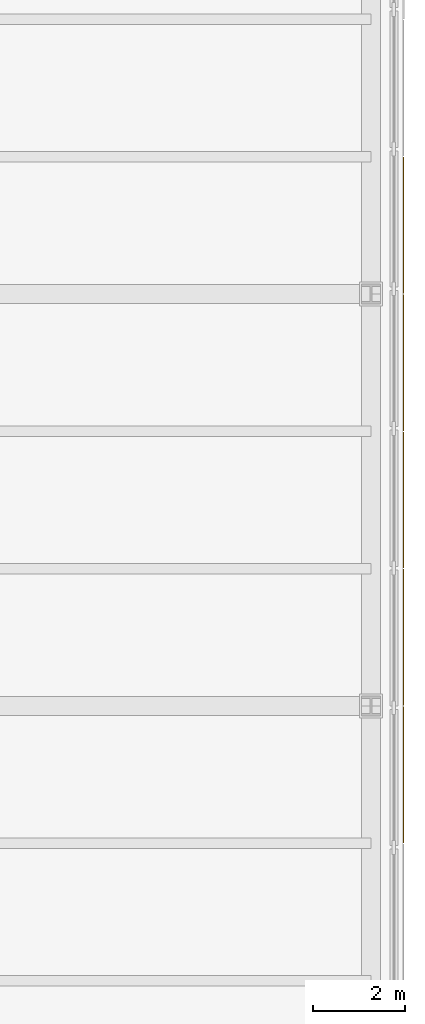
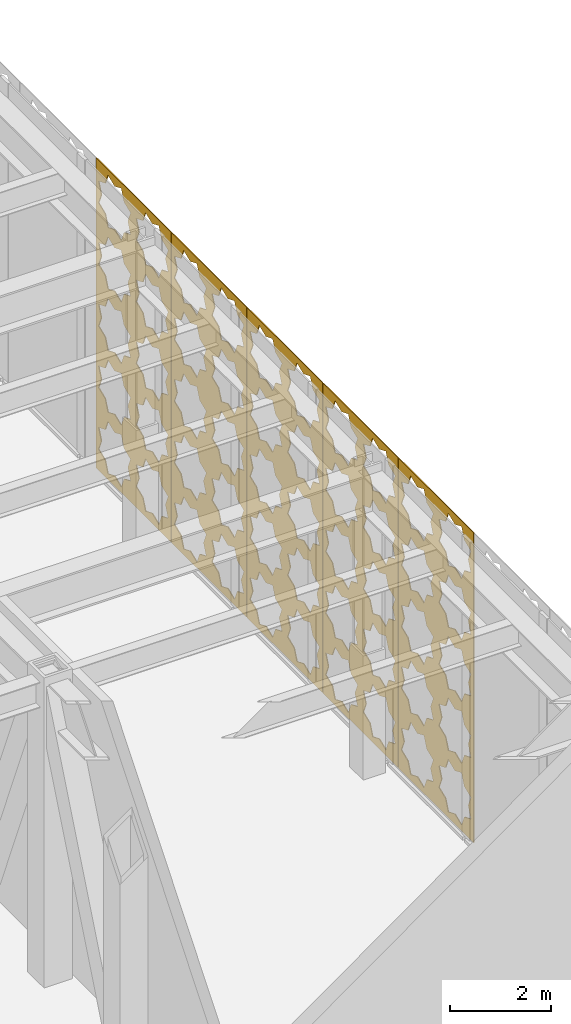
# One storey, part 32 of 34: 5 shading devices.
"""IFC4 building model written with IfcOpenShell, lengths in metres."""

from ifc_helpers import new_model, si_unit, direction, frame, origin, place, context, subcontext, project, spatial, polyline, outline, extrude, material, layer, layer_set, type_object, element, save


model = new_model("IFC4")

# Units and contexts
model_context = context("Model", 3, precision=1e-05, world=origin(), true_north=direction((0.0, 1.0)))
body_context = subcontext(model_context, "Body", "Model", "MODEL_VIEW")
ifc_project = project(units=[si_unit("LENGTHUNIT", "METRE"), si_unit("AREAUNIT", "SQUARE_METRE"), si_unit("VOLUMEUNIT", "CUBIC_METRE"), si_unit("PLANEANGLEUNIT", "RADIAN"), si_unit("MASSUNIT", "GRAM", prefix="KILO")], contexts=[model_context])

# Site, building, storey
site_placement = place(None, origin())
site = spatial("IfcSite", under=ifc_project, at=site_placement, CompositionType="ELEMENT")
building_placement = place(site_placement, origin())
building = spatial("IfcBuilding", under=site, at=building_placement, Name="Chuquiago Exchange Tower", CompositionType="ELEMENT")
storey_placement = place(building_placement, frame((0.0, 0.0, 6.0)))
storey = spatial("IfcBuildingStorey", under=building, at=storey_placement, Name="L01", CompositionType="ELEMENT", Elevation=6.0)

# Shading devices
ifc_material = material(Name="Pale metal, perforated in an eight-point star pattern", Category="aluminium")
ifc_layer = layer(ifc_material, 0.02001953125)
ifc_layer_set = layer_set([ifc_layer], Name="SC1 mashrabiya screen 20")
shading_device_type = type_object("IfcShadingDeviceType", Name="SC1 mashrabiya screen 20", PredefinedType="SHUTTER", material=ifc_layer_set)
shading_device_1_placement = place(storey_placement, frame((54.699951171875, 6.010009765625, -0.199951171875), z_axis=(0.0, 0.0, 1.0), x_axis=(0.0, 1.0, 0.0)))
element("IfcShadingDevice", 1, at=shading_device_1_placement, inside=storey, type_object=shading_device_type, Name="Mashrabiya screen L01 E 9", PredefinedType="SHUTTER", context=body_context, shape_type="SweptSolid", body=[
    extrude(outline(polyline([(0.0, 0.0), (2.97998046875, 0.0), (2.97998046875, 7.5), (0.0, 7.5), (0.0, 0.0)]), holes=[polyline([(1.26953125, 0.77001953125), (1.378173828125, 1.0322265625), (1.115966796875, 1.140869140625), (1.00732421875, 1.403076171875), (0.7451171875, 1.29443359375), (0.482666015625, 1.403076171875), (0.3740234375, 1.140869140625), (0.11181640625, 1.0322265625), (0.220458984375, 0.77001953125), (0.11181640625, 0.507568359375), (0.3740234375, 0.39892578125), (0.482666015625, 0.13671875), (0.7451171875, 0.245361328125), (1.00732421875, 0.13671875), (1.115966796875, 0.39892578125), (1.378173828125, 0.507568359375), (1.26953125, 0.77001953125)]), polyline([(2.759521484375, 0.77001953125), (2.8681640625, 1.0322265625), (2.60595703125, 1.140869140625), (2.497314453125, 1.403076171875), (2.235107421875, 1.29443359375), (1.97265625, 1.403076171875), (1.864013671875, 1.140869140625), (1.601806640625, 1.0322265625), (1.71044921875, 0.77001953125), (1.601806640625, 0.507568359375), (1.864013671875, 0.39892578125), (1.97265625, 0.13671875), (2.235107421875, 0.245361328125), (2.497314453125, 0.13671875), (2.60595703125, 0.39892578125), (2.8681640625, 0.507568359375), (2.759521484375, 0.77001953125)]), polyline([(1.26953125, 2.260009765625), (1.378173828125, 2.522216796875), (1.115966796875, 2.630859375), (1.00732421875, 2.89306640625), (0.7451171875, 2.78466796875), (0.482666015625, 2.89306640625), (0.3740234375, 2.630859375), (0.11181640625, 2.522216796875), (0.220458984375, 2.260009765625), (0.11181640625, 1.99755859375), (0.3740234375, 1.888916015625), (0.482666015625, 1.626708984375), (0.7451171875, 1.7353515625), (1.00732421875, 1.626708984375), (1.115966796875, 1.888916015625), (1.378173828125, 1.99755859375), (1.26953125, 2.260009765625)]), polyline([(2.759521484375, 2.260009765625), (2.8681640625, 2.522216796875), (2.60595703125, 2.630859375), (2.497314453125, 2.89306640625), (2.235107421875, 2.78466796875), (1.97265625, 2.89306640625), (1.864013671875, 2.630859375), (1.601806640625, 2.522216796875), (1.71044921875, 2.260009765625), (1.601806640625, 1.99755859375), (1.864013671875, 1.888916015625), (1.97265625, 1.626708984375), (2.235107421875, 1.7353515625), (2.497314453125, 1.626708984375), (2.60595703125, 1.888916015625), (2.8681640625, 1.99755859375), (2.759521484375, 2.260009765625)]), polyline([(1.26953125, 3.75), (1.378173828125, 4.01220703125), (1.115966796875, 4.120849609375), (1.00732421875, 4.383056640625), (0.7451171875, 4.274658203125), (0.482666015625, 4.383056640625), (0.3740234375, 4.120849609375), (0.11181640625, 4.01220703125), (0.220458984375, 3.75), (0.11181640625, 3.487548828125), (0.3740234375, 3.37890625), (0.482666015625, 3.11669921875), (0.7451171875, 3.225341796875), (1.00732421875, 3.11669921875), (1.115966796875, 3.37890625), (1.378173828125, 3.487548828125), (1.26953125, 3.75)]), polyline([(2.759521484375, 3.75), (2.8681640625, 4.01220703125), (2.60595703125, 4.120849609375), (2.497314453125, 4.383056640625), (2.235107421875, 4.274658203125), (1.97265625, 4.383056640625), (1.864013671875, 4.120849609375), (1.601806640625, 4.01220703125), (1.71044921875, 3.75), (1.601806640625, 3.487548828125), (1.864013671875, 3.37890625), (1.97265625, 3.11669921875), (2.235107421875, 3.225341796875), (2.497314453125, 3.11669921875), (2.60595703125, 3.37890625), (2.8681640625, 3.487548828125), (2.759521484375, 3.75)]), polyline([(1.26953125, 5.239990234375), (1.378173828125, 5.502197265625), (1.115966796875, 5.61083984375), (1.00732421875, 5.873046875), (0.7451171875, 5.7646484375), (0.482666015625, 5.873046875), (0.3740234375, 5.61083984375), (0.11181640625, 5.502197265625), (0.220458984375, 5.239990234375), (0.11181640625, 4.9775390625), (0.3740234375, 4.868896484375), (0.482666015625, 4.606689453125), (0.7451171875, 4.71533203125), (1.00732421875, 4.606689453125), (1.115966796875, 4.868896484375), (1.378173828125, 4.9775390625), (1.26953125, 5.239990234375)]), polyline([(2.759521484375, 5.239990234375), (2.8681640625, 5.502197265625), (2.60595703125, 5.61083984375), (2.497314453125, 5.873046875), (2.235107421875, 5.7646484375), (1.97265625, 5.873046875), (1.864013671875, 5.61083984375), (1.601806640625, 5.502197265625), (1.71044921875, 5.239990234375), (1.601806640625, 4.9775390625), (1.864013671875, 4.868896484375), (1.97265625, 4.606689453125), (2.235107421875, 4.71533203125), (2.497314453125, 4.606689453125), (2.60595703125, 4.868896484375), (2.8681640625, 4.9775390625), (2.759521484375, 5.239990234375)]), polyline([(1.26953125, 6.72998046875), (1.378173828125, 6.9921875), (1.115966796875, 7.100830078125), (1.00732421875, 7.363037109375), (0.7451171875, 7.254638671875), (0.482666015625, 7.363037109375), (0.3740234375, 7.100830078125), (0.11181640625, 6.9921875), (0.220458984375, 6.72998046875), (0.11181640625, 6.467529296875), (0.3740234375, 6.35888671875), (0.482666015625, 6.0966796875), (0.7451171875, 6.205322265625), (1.00732421875, 6.0966796875), (1.115966796875, 6.35888671875), (1.378173828125, 6.467529296875), (1.26953125, 6.72998046875)]), polyline([(2.759521484375, 6.72998046875), (2.8681640625, 6.9921875), (2.60595703125, 7.100830078125), (2.497314453125, 7.363037109375), (2.235107421875, 7.254638671875), (1.97265625, 7.363037109375), (1.864013671875, 7.100830078125), (1.601806640625, 6.9921875), (1.71044921875, 6.72998046875), (1.601806640625, 6.467529296875), (1.864013671875, 6.35888671875), (1.97265625, 6.0966796875), (2.235107421875, 6.205322265625), (2.497314453125, 6.0966796875), (2.60595703125, 6.35888671875), (2.8681640625, 6.467529296875), (2.759521484375, 6.72998046875)])]), frame((0.0, 0.0, 0.0), z_axis=(0.0, -1.0, 0.0), x_axis=(1.0, 0.0, 0.0)), (0.0, 0.0, 1.0), 0.02001953125),
])
shading_device_2_placement = place(storey_placement, frame((54.699951171875, 9.010009765625, -0.199951171875), z_axis=(0.0, 0.0, 1.0), x_axis=(0.0, 1.0, 0.0)))
element("IfcShadingDevice", 2, at=shading_device_2_placement, inside=storey, type_object=shading_device_type, Name="Mashrabiya screen L01 E 10", PredefinedType="SHUTTER", context=body_context, shape_type="SweptSolid", body=[
    extrude(outline(polyline([(0.0, 0.0), (2.97998046875, 0.0), (2.97998046875, 7.5), (0.0, 7.5), (0.0, 0.0)]), holes=[polyline([(1.26953125, 0.77001953125), (1.378173828125, 1.0322265625), (1.115966796875, 1.140869140625), (1.00732421875, 1.403076171875), (0.7451171875, 1.29443359375), (0.482666015625, 1.403076171875), (0.3740234375, 1.140869140625), (0.11181640625, 1.0322265625), (0.220458984375, 0.77001953125), (0.11181640625, 0.507568359375), (0.3740234375, 0.39892578125), (0.482666015625, 0.13671875), (0.7451171875, 0.245361328125), (1.00732421875, 0.13671875), (1.115966796875, 0.39892578125), (1.378173828125, 0.507568359375), (1.26953125, 0.77001953125)]), polyline([(2.759521484375, 0.77001953125), (2.8681640625, 1.0322265625), (2.60595703125, 1.140869140625), (2.497314453125, 1.403076171875), (2.235107421875, 1.29443359375), (1.97265625, 1.403076171875), (1.864013671875, 1.140869140625), (1.601806640625, 1.0322265625), (1.71044921875, 0.77001953125), (1.601806640625, 0.507568359375), (1.864013671875, 0.39892578125), (1.97265625, 0.13671875), (2.235107421875, 0.245361328125), (2.497314453125, 0.13671875), (2.60595703125, 0.39892578125), (2.8681640625, 0.507568359375), (2.759521484375, 0.77001953125)]), polyline([(1.26953125, 2.260009765625), (1.378173828125, 2.522216796875), (1.115966796875, 2.630859375), (1.00732421875, 2.89306640625), (0.7451171875, 2.78466796875), (0.482666015625, 2.89306640625), (0.3740234375, 2.630859375), (0.11181640625, 2.522216796875), (0.220458984375, 2.260009765625), (0.11181640625, 1.99755859375), (0.3740234375, 1.888916015625), (0.482666015625, 1.626708984375), (0.7451171875, 1.7353515625), (1.00732421875, 1.626708984375), (1.115966796875, 1.888916015625), (1.378173828125, 1.99755859375), (1.26953125, 2.260009765625)]), polyline([(2.759521484375, 2.260009765625), (2.8681640625, 2.522216796875), (2.60595703125, 2.630859375), (2.497314453125, 2.89306640625), (2.235107421875, 2.78466796875), (1.97265625, 2.89306640625), (1.864013671875, 2.630859375), (1.601806640625, 2.522216796875), (1.71044921875, 2.260009765625), (1.601806640625, 1.99755859375), (1.864013671875, 1.888916015625), (1.97265625, 1.626708984375), (2.235107421875, 1.7353515625), (2.497314453125, 1.626708984375), (2.60595703125, 1.888916015625), (2.8681640625, 1.99755859375), (2.759521484375, 2.260009765625)]), polyline([(1.26953125, 3.75), (1.378173828125, 4.01220703125), (1.115966796875, 4.120849609375), (1.00732421875, 4.383056640625), (0.7451171875, 4.274658203125), (0.482666015625, 4.383056640625), (0.3740234375, 4.120849609375), (0.11181640625, 4.01220703125), (0.220458984375, 3.75), (0.11181640625, 3.487548828125), (0.3740234375, 3.37890625), (0.482666015625, 3.11669921875), (0.7451171875, 3.225341796875), (1.00732421875, 3.11669921875), (1.115966796875, 3.37890625), (1.378173828125, 3.487548828125), (1.26953125, 3.75)]), polyline([(2.759521484375, 3.75), (2.8681640625, 4.01220703125), (2.60595703125, 4.120849609375), (2.497314453125, 4.383056640625), (2.235107421875, 4.274658203125), (1.97265625, 4.383056640625), (1.864013671875, 4.120849609375), (1.601806640625, 4.01220703125), (1.71044921875, 3.75), (1.601806640625, 3.487548828125), (1.864013671875, 3.37890625), (1.97265625, 3.11669921875), (2.235107421875, 3.225341796875), (2.497314453125, 3.11669921875), (2.60595703125, 3.37890625), (2.8681640625, 3.487548828125), (2.759521484375, 3.75)]), polyline([(1.26953125, 5.239990234375), (1.378173828125, 5.502197265625), (1.115966796875, 5.61083984375), (1.00732421875, 5.873046875), (0.7451171875, 5.7646484375), (0.482666015625, 5.873046875), (0.3740234375, 5.61083984375), (0.11181640625, 5.502197265625), (0.220458984375, 5.239990234375), (0.11181640625, 4.9775390625), (0.3740234375, 4.868896484375), (0.482666015625, 4.606689453125), (0.7451171875, 4.71533203125), (1.00732421875, 4.606689453125), (1.115966796875, 4.868896484375), (1.378173828125, 4.9775390625), (1.26953125, 5.239990234375)]), polyline([(2.759521484375, 5.239990234375), (2.8681640625, 5.502197265625), (2.60595703125, 5.61083984375), (2.497314453125, 5.873046875), (2.235107421875, 5.7646484375), (1.97265625, 5.873046875), (1.864013671875, 5.61083984375), (1.601806640625, 5.502197265625), (1.71044921875, 5.239990234375), (1.601806640625, 4.9775390625), (1.864013671875, 4.868896484375), (1.97265625, 4.606689453125), (2.235107421875, 4.71533203125), (2.497314453125, 4.606689453125), (2.60595703125, 4.868896484375), (2.8681640625, 4.9775390625), (2.759521484375, 5.239990234375)]), polyline([(1.26953125, 6.72998046875), (1.378173828125, 6.9921875), (1.115966796875, 7.100830078125), (1.00732421875, 7.363037109375), (0.7451171875, 7.254638671875), (0.482666015625, 7.363037109375), (0.3740234375, 7.100830078125), (0.11181640625, 6.9921875), (0.220458984375, 6.72998046875), (0.11181640625, 6.467529296875), (0.3740234375, 6.35888671875), (0.482666015625, 6.0966796875), (0.7451171875, 6.205322265625), (1.00732421875, 6.0966796875), (1.115966796875, 6.35888671875), (1.378173828125, 6.467529296875), (1.26953125, 6.72998046875)]), polyline([(2.759521484375, 6.72998046875), (2.8681640625, 6.9921875), (2.60595703125, 7.100830078125), (2.497314453125, 7.363037109375), (2.235107421875, 7.254638671875), (1.97265625, 7.363037109375), (1.864013671875, 7.100830078125), (1.601806640625, 6.9921875), (1.71044921875, 6.72998046875), (1.601806640625, 6.467529296875), (1.864013671875, 6.35888671875), (1.97265625, 6.0966796875), (2.235107421875, 6.205322265625), (2.497314453125, 6.0966796875), (2.60595703125, 6.35888671875), (2.8681640625, 6.467529296875), (2.759521484375, 6.72998046875)])]), frame((0.0, 0.0, 0.0), z_axis=(0.0, -1.0, 0.0), x_axis=(1.0, 0.0, 0.0)), (0.0, 0.0, 1.0), 0.02001953125),
])
shading_device_3_placement = place(storey_placement, frame((54.699951171875, 12.010009765625, -0.199951171875), z_axis=(0.0, 0.0, 1.0), x_axis=(0.0, 1.0, 0.0)))
element("IfcShadingDevice", 3, at=shading_device_3_placement, inside=storey, type_object=shading_device_type, Name="Mashrabiya screen L01 E 11", PredefinedType="SHUTTER", context=body_context, shape_type="SweptSolid", body=[
    extrude(outline(polyline([(0.0, 0.0), (2.97998046875, 0.0), (2.97998046875, 7.5), (0.0, 7.5), (0.0, 0.0)]), holes=[polyline([(1.26953125, 0.77001953125), (1.378173828125, 1.0322265625), (1.115966796875, 1.140869140625), (1.00732421875, 1.403076171875), (0.7451171875, 1.29443359375), (0.482666015625, 1.403076171875), (0.3740234375, 1.140869140625), (0.11181640625, 1.0322265625), (0.220458984375, 0.77001953125), (0.11181640625, 0.507568359375), (0.3740234375, 0.39892578125), (0.482666015625, 0.13671875), (0.7451171875, 0.245361328125), (1.00732421875, 0.13671875), (1.115966796875, 0.39892578125), (1.378173828125, 0.507568359375), (1.26953125, 0.77001953125)]), polyline([(2.759521484375, 0.77001953125), (2.8681640625, 1.0322265625), (2.60595703125, 1.140869140625), (2.497314453125, 1.403076171875), (2.235107421875, 1.29443359375), (1.97265625, 1.403076171875), (1.864013671875, 1.140869140625), (1.601806640625, 1.0322265625), (1.71044921875, 0.77001953125), (1.601806640625, 0.507568359375), (1.864013671875, 0.39892578125), (1.97265625, 0.13671875), (2.235107421875, 0.245361328125), (2.497314453125, 0.13671875), (2.60595703125, 0.39892578125), (2.8681640625, 0.507568359375), (2.759521484375, 0.77001953125)]), polyline([(1.26953125, 2.260009765625), (1.378173828125, 2.522216796875), (1.115966796875, 2.630859375), (1.00732421875, 2.89306640625), (0.7451171875, 2.78466796875), (0.482666015625, 2.89306640625), (0.3740234375, 2.630859375), (0.11181640625, 2.522216796875), (0.220458984375, 2.260009765625), (0.11181640625, 1.99755859375), (0.3740234375, 1.888916015625), (0.482666015625, 1.626708984375), (0.7451171875, 1.7353515625), (1.00732421875, 1.626708984375), (1.115966796875, 1.888916015625), (1.378173828125, 1.99755859375), (1.26953125, 2.260009765625)]), polyline([(2.759521484375, 2.260009765625), (2.8681640625, 2.522216796875), (2.60595703125, 2.630859375), (2.497314453125, 2.89306640625), (2.235107421875, 2.78466796875), (1.97265625, 2.89306640625), (1.864013671875, 2.630859375), (1.601806640625, 2.522216796875), (1.71044921875, 2.260009765625), (1.601806640625, 1.99755859375), (1.864013671875, 1.888916015625), (1.97265625, 1.626708984375), (2.235107421875, 1.7353515625), (2.497314453125, 1.626708984375), (2.60595703125, 1.888916015625), (2.8681640625, 1.99755859375), (2.759521484375, 2.260009765625)]), polyline([(1.26953125, 3.75), (1.378173828125, 4.01220703125), (1.115966796875, 4.120849609375), (1.00732421875, 4.383056640625), (0.7451171875, 4.274658203125), (0.482666015625, 4.383056640625), (0.3740234375, 4.120849609375), (0.11181640625, 4.01220703125), (0.220458984375, 3.75), (0.11181640625, 3.487548828125), (0.3740234375, 3.37890625), (0.482666015625, 3.11669921875), (0.7451171875, 3.225341796875), (1.00732421875, 3.11669921875), (1.115966796875, 3.37890625), (1.378173828125, 3.487548828125), (1.26953125, 3.75)]), polyline([(2.759521484375, 3.75), (2.8681640625, 4.01220703125), (2.60595703125, 4.120849609375), (2.497314453125, 4.383056640625), (2.235107421875, 4.274658203125), (1.97265625, 4.383056640625), (1.864013671875, 4.120849609375), (1.601806640625, 4.01220703125), (1.71044921875, 3.75), (1.601806640625, 3.487548828125), (1.864013671875, 3.37890625), (1.97265625, 3.11669921875), (2.235107421875, 3.225341796875), (2.497314453125, 3.11669921875), (2.60595703125, 3.37890625), (2.8681640625, 3.487548828125), (2.759521484375, 3.75)]), polyline([(1.26953125, 5.239990234375), (1.378173828125, 5.502197265625), (1.115966796875, 5.61083984375), (1.00732421875, 5.873046875), (0.7451171875, 5.7646484375), (0.482666015625, 5.873046875), (0.3740234375, 5.61083984375), (0.11181640625, 5.502197265625), (0.220458984375, 5.239990234375), (0.11181640625, 4.9775390625), (0.3740234375, 4.868896484375), (0.482666015625, 4.606689453125), (0.7451171875, 4.71533203125), (1.00732421875, 4.606689453125), (1.115966796875, 4.868896484375), (1.378173828125, 4.9775390625), (1.26953125, 5.239990234375)]), polyline([(2.759521484375, 5.239990234375), (2.8681640625, 5.502197265625), (2.60595703125, 5.61083984375), (2.497314453125, 5.873046875), (2.235107421875, 5.7646484375), (1.97265625, 5.873046875), (1.864013671875, 5.61083984375), (1.601806640625, 5.502197265625), (1.71044921875, 5.239990234375), (1.601806640625, 4.9775390625), (1.864013671875, 4.868896484375), (1.97265625, 4.606689453125), (2.235107421875, 4.71533203125), (2.497314453125, 4.606689453125), (2.60595703125, 4.868896484375), (2.8681640625, 4.9775390625), (2.759521484375, 5.239990234375)]), polyline([(1.26953125, 6.72998046875), (1.378173828125, 6.9921875), (1.115966796875, 7.100830078125), (1.00732421875, 7.363037109375), (0.7451171875, 7.254638671875), (0.482666015625, 7.363037109375), (0.3740234375, 7.100830078125), (0.11181640625, 6.9921875), (0.220458984375, 6.72998046875), (0.11181640625, 6.467529296875), (0.3740234375, 6.35888671875), (0.482666015625, 6.0966796875), (0.7451171875, 6.205322265625), (1.00732421875, 6.0966796875), (1.115966796875, 6.35888671875), (1.378173828125, 6.467529296875), (1.26953125, 6.72998046875)]), polyline([(2.759521484375, 6.72998046875), (2.8681640625, 6.9921875), (2.60595703125, 7.100830078125), (2.497314453125, 7.363037109375), (2.235107421875, 7.254638671875), (1.97265625, 7.363037109375), (1.864013671875, 7.100830078125), (1.601806640625, 6.9921875), (1.71044921875, 6.72998046875), (1.601806640625, 6.467529296875), (1.864013671875, 6.35888671875), (1.97265625, 6.0966796875), (2.235107421875, 6.205322265625), (2.497314453125, 6.0966796875), (2.60595703125, 6.35888671875), (2.8681640625, 6.467529296875), (2.759521484375, 6.72998046875)])]), frame((0.0, 0.0, 0.0), z_axis=(0.0, -1.0, 0.0), x_axis=(1.0, 0.0, 0.0)), (0.0, 0.0, 1.0), 0.02001953125),
])
shading_device_4_placement = place(storey_placement, frame((54.699951171875, 15.010009765625, -0.199951171875), z_axis=(0.0, 0.0, 1.0), x_axis=(0.0, 1.0, 0.0)))
element("IfcShadingDevice", 4, at=shading_device_4_placement, inside=storey, type_object=shading_device_type, Name="Mashrabiya screen L01 E 12", PredefinedType="SHUTTER", context=body_context, shape_type="SweptSolid", body=[
    extrude(outline(polyline([(0.0, 0.0), (2.97998046875, 0.0), (2.97998046875, 7.5), (0.0, 7.5), (0.0, 0.0)]), holes=[polyline([(1.26953125, 0.77001953125), (1.378173828125, 1.0322265625), (1.115966796875, 1.140869140625), (1.00732421875, 1.403076171875), (0.7451171875, 1.29443359375), (0.482666015625, 1.403076171875), (0.3740234375, 1.140869140625), (0.11181640625, 1.0322265625), (0.220458984375, 0.77001953125), (0.11181640625, 0.507568359375), (0.3740234375, 0.39892578125), (0.482666015625, 0.13671875), (0.7451171875, 0.245361328125), (1.00732421875, 0.13671875), (1.115966796875, 0.39892578125), (1.378173828125, 0.507568359375), (1.26953125, 0.77001953125)]), polyline([(2.759521484375, 0.77001953125), (2.8681640625, 1.0322265625), (2.60595703125, 1.140869140625), (2.497314453125, 1.403076171875), (2.235107421875, 1.29443359375), (1.97265625, 1.403076171875), (1.864013671875, 1.140869140625), (1.601806640625, 1.0322265625), (1.71044921875, 0.77001953125), (1.601806640625, 0.507568359375), (1.864013671875, 0.39892578125), (1.97265625, 0.13671875), (2.235107421875, 0.245361328125), (2.497314453125, 0.13671875), (2.60595703125, 0.39892578125), (2.8681640625, 0.507568359375), (2.759521484375, 0.77001953125)]), polyline([(1.26953125, 2.260009765625), (1.378173828125, 2.522216796875), (1.115966796875, 2.630859375), (1.00732421875, 2.89306640625), (0.7451171875, 2.78466796875), (0.482666015625, 2.89306640625), (0.3740234375, 2.630859375), (0.11181640625, 2.522216796875), (0.220458984375, 2.260009765625), (0.11181640625, 1.99755859375), (0.3740234375, 1.888916015625), (0.482666015625, 1.626708984375), (0.7451171875, 1.7353515625), (1.00732421875, 1.626708984375), (1.115966796875, 1.888916015625), (1.378173828125, 1.99755859375), (1.26953125, 2.260009765625)]), polyline([(2.759521484375, 2.260009765625), (2.8681640625, 2.522216796875), (2.60595703125, 2.630859375), (2.497314453125, 2.89306640625), (2.235107421875, 2.78466796875), (1.97265625, 2.89306640625), (1.864013671875, 2.630859375), (1.601806640625, 2.522216796875), (1.71044921875, 2.260009765625), (1.601806640625, 1.99755859375), (1.864013671875, 1.888916015625), (1.97265625, 1.626708984375), (2.235107421875, 1.7353515625), (2.497314453125, 1.626708984375), (2.60595703125, 1.888916015625), (2.8681640625, 1.99755859375), (2.759521484375, 2.260009765625)]), polyline([(1.26953125, 3.75), (1.378173828125, 4.01220703125), (1.115966796875, 4.120849609375), (1.00732421875, 4.383056640625), (0.7451171875, 4.274658203125), (0.482666015625, 4.383056640625), (0.3740234375, 4.120849609375), (0.11181640625, 4.01220703125), (0.220458984375, 3.75), (0.11181640625, 3.487548828125), (0.3740234375, 3.37890625), (0.482666015625, 3.11669921875), (0.7451171875, 3.225341796875), (1.00732421875, 3.11669921875), (1.115966796875, 3.37890625), (1.378173828125, 3.487548828125), (1.26953125, 3.75)]), polyline([(2.759521484375, 3.75), (2.8681640625, 4.01220703125), (2.60595703125, 4.120849609375), (2.497314453125, 4.383056640625), (2.235107421875, 4.274658203125), (1.97265625, 4.383056640625), (1.864013671875, 4.120849609375), (1.601806640625, 4.01220703125), (1.71044921875, 3.75), (1.601806640625, 3.487548828125), (1.864013671875, 3.37890625), (1.97265625, 3.11669921875), (2.235107421875, 3.225341796875), (2.497314453125, 3.11669921875), (2.60595703125, 3.37890625), (2.8681640625, 3.487548828125), (2.759521484375, 3.75)]), polyline([(1.26953125, 5.239990234375), (1.378173828125, 5.502197265625), (1.115966796875, 5.61083984375), (1.00732421875, 5.873046875), (0.7451171875, 5.7646484375), (0.482666015625, 5.873046875), (0.3740234375, 5.61083984375), (0.11181640625, 5.502197265625), (0.220458984375, 5.239990234375), (0.11181640625, 4.9775390625), (0.3740234375, 4.868896484375), (0.482666015625, 4.606689453125), (0.7451171875, 4.71533203125), (1.00732421875, 4.606689453125), (1.115966796875, 4.868896484375), (1.378173828125, 4.9775390625), (1.26953125, 5.239990234375)]), polyline([(2.759521484375, 5.239990234375), (2.8681640625, 5.502197265625), (2.60595703125, 5.61083984375), (2.497314453125, 5.873046875), (2.235107421875, 5.7646484375), (1.97265625, 5.873046875), (1.864013671875, 5.61083984375), (1.601806640625, 5.502197265625), (1.71044921875, 5.239990234375), (1.601806640625, 4.9775390625), (1.864013671875, 4.868896484375), (1.97265625, 4.606689453125), (2.235107421875, 4.71533203125), (2.497314453125, 4.606689453125), (2.60595703125, 4.868896484375), (2.8681640625, 4.9775390625), (2.759521484375, 5.239990234375)]), polyline([(1.26953125, 6.72998046875), (1.378173828125, 6.9921875), (1.115966796875, 7.100830078125), (1.00732421875, 7.363037109375), (0.7451171875, 7.254638671875), (0.482666015625, 7.363037109375), (0.3740234375, 7.100830078125), (0.11181640625, 6.9921875), (0.220458984375, 6.72998046875), (0.11181640625, 6.467529296875), (0.3740234375, 6.35888671875), (0.482666015625, 6.0966796875), (0.7451171875, 6.205322265625), (1.00732421875, 6.0966796875), (1.115966796875, 6.35888671875), (1.378173828125, 6.467529296875), (1.26953125, 6.72998046875)]), polyline([(2.759521484375, 6.72998046875), (2.8681640625, 6.9921875), (2.60595703125, 7.100830078125), (2.497314453125, 7.363037109375), (2.235107421875, 7.254638671875), (1.97265625, 7.363037109375), (1.864013671875, 7.100830078125), (1.601806640625, 6.9921875), (1.71044921875, 6.72998046875), (1.601806640625, 6.467529296875), (1.864013671875, 6.35888671875), (1.97265625, 6.0966796875), (2.235107421875, 6.205322265625), (2.497314453125, 6.0966796875), (2.60595703125, 6.35888671875), (2.8681640625, 6.467529296875), (2.759521484375, 6.72998046875)])]), frame((0.0, 0.0, 0.0), z_axis=(0.0, -1.0, 0.0), x_axis=(1.0, 0.0, 0.0)), (0.0, 0.0, 1.0), 0.02001953125),
])
shading_device_5_placement = place(storey_placement, frame((54.699951171875, 18.010009765625, -0.199951171875), z_axis=(0.0, 0.0, 1.0), x_axis=(0.0, 1.0, 0.0)))
element("IfcShadingDevice", 5, at=shading_device_5_placement, inside=storey, type_object=shading_device_type, Name="Mashrabiya screen L01 E 13", PredefinedType="SHUTTER", context=body_context, shape_type="SweptSolid", body=[
    extrude(outline(polyline([(0.0, 0.0), (2.97998046875, 0.0), (2.97998046875, 7.5), (0.0, 7.5), (0.0, 0.0)]), holes=[polyline([(1.26953125, 0.77001953125), (1.378173828125, 1.0322265625), (1.115966796875, 1.140869140625), (1.00732421875, 1.403076171875), (0.7451171875, 1.29443359375), (0.482666015625, 1.403076171875), (0.3740234375, 1.140869140625), (0.11181640625, 1.0322265625), (0.220458984375, 0.77001953125), (0.11181640625, 0.507568359375), (0.3740234375, 0.39892578125), (0.482666015625, 0.13671875), (0.7451171875, 0.245361328125), (1.00732421875, 0.13671875), (1.115966796875, 0.39892578125), (1.378173828125, 0.507568359375), (1.26953125, 0.77001953125)]), polyline([(2.759521484375, 0.77001953125), (2.8681640625, 1.0322265625), (2.60595703125, 1.140869140625), (2.497314453125, 1.403076171875), (2.235107421875, 1.29443359375), (1.97265625, 1.403076171875), (1.864013671875, 1.140869140625), (1.601806640625, 1.0322265625), (1.71044921875, 0.77001953125), (1.601806640625, 0.507568359375), (1.864013671875, 0.39892578125), (1.97265625, 0.13671875), (2.235107421875, 0.245361328125), (2.497314453125, 0.13671875), (2.60595703125, 0.39892578125), (2.8681640625, 0.507568359375), (2.759521484375, 0.77001953125)]), polyline([(1.26953125, 2.260009765625), (1.378173828125, 2.522216796875), (1.115966796875, 2.630859375), (1.00732421875, 2.89306640625), (0.7451171875, 2.78466796875), (0.482666015625, 2.89306640625), (0.3740234375, 2.630859375), (0.11181640625, 2.522216796875), (0.220458984375, 2.260009765625), (0.11181640625, 1.99755859375), (0.3740234375, 1.888916015625), (0.482666015625, 1.626708984375), (0.7451171875, 1.7353515625), (1.00732421875, 1.626708984375), (1.115966796875, 1.888916015625), (1.378173828125, 1.99755859375), (1.26953125, 2.260009765625)]), polyline([(2.759521484375, 2.260009765625), (2.8681640625, 2.522216796875), (2.60595703125, 2.630859375), (2.497314453125, 2.89306640625), (2.235107421875, 2.78466796875), (1.97265625, 2.89306640625), (1.864013671875, 2.630859375), (1.601806640625, 2.522216796875), (1.71044921875, 2.260009765625), (1.601806640625, 1.99755859375), (1.864013671875, 1.888916015625), (1.97265625, 1.626708984375), (2.235107421875, 1.7353515625), (2.497314453125, 1.626708984375), (2.60595703125, 1.888916015625), (2.8681640625, 1.99755859375), (2.759521484375, 2.260009765625)]), polyline([(1.26953125, 3.75), (1.378173828125, 4.01220703125), (1.115966796875, 4.120849609375), (1.00732421875, 4.383056640625), (0.7451171875, 4.274658203125), (0.482666015625, 4.383056640625), (0.3740234375, 4.120849609375), (0.11181640625, 4.01220703125), (0.220458984375, 3.75), (0.11181640625, 3.487548828125), (0.3740234375, 3.37890625), (0.482666015625, 3.11669921875), (0.7451171875, 3.225341796875), (1.00732421875, 3.11669921875), (1.115966796875, 3.37890625), (1.378173828125, 3.487548828125), (1.26953125, 3.75)]), polyline([(2.759521484375, 3.75), (2.8681640625, 4.01220703125), (2.60595703125, 4.120849609375), (2.497314453125, 4.383056640625), (2.235107421875, 4.274658203125), (1.97265625, 4.383056640625), (1.864013671875, 4.120849609375), (1.601806640625, 4.01220703125), (1.71044921875, 3.75), (1.601806640625, 3.487548828125), (1.864013671875, 3.37890625), (1.97265625, 3.11669921875), (2.235107421875, 3.225341796875), (2.497314453125, 3.11669921875), (2.60595703125, 3.37890625), (2.8681640625, 3.487548828125), (2.759521484375, 3.75)]), polyline([(1.26953125, 5.239990234375), (1.378173828125, 5.502197265625), (1.115966796875, 5.61083984375), (1.00732421875, 5.873046875), (0.7451171875, 5.7646484375), (0.482666015625, 5.873046875), (0.3740234375, 5.61083984375), (0.11181640625, 5.502197265625), (0.220458984375, 5.239990234375), (0.11181640625, 4.9775390625), (0.3740234375, 4.868896484375), (0.482666015625, 4.606689453125), (0.7451171875, 4.71533203125), (1.00732421875, 4.606689453125), (1.115966796875, 4.868896484375), (1.378173828125, 4.9775390625), (1.26953125, 5.239990234375)]), polyline([(2.759521484375, 5.239990234375), (2.8681640625, 5.502197265625), (2.60595703125, 5.61083984375), (2.497314453125, 5.873046875), (2.235107421875, 5.7646484375), (1.97265625, 5.873046875), (1.864013671875, 5.61083984375), (1.601806640625, 5.502197265625), (1.71044921875, 5.239990234375), (1.601806640625, 4.9775390625), (1.864013671875, 4.868896484375), (1.97265625, 4.606689453125), (2.235107421875, 4.71533203125), (2.497314453125, 4.606689453125), (2.60595703125, 4.868896484375), (2.8681640625, 4.9775390625), (2.759521484375, 5.239990234375)]), polyline([(1.26953125, 6.72998046875), (1.378173828125, 6.9921875), (1.115966796875, 7.100830078125), (1.00732421875, 7.363037109375), (0.7451171875, 7.254638671875), (0.482666015625, 7.363037109375), (0.3740234375, 7.100830078125), (0.11181640625, 6.9921875), (0.220458984375, 6.72998046875), (0.11181640625, 6.467529296875), (0.3740234375, 6.35888671875), (0.482666015625, 6.0966796875), (0.7451171875, 6.205322265625), (1.00732421875, 6.0966796875), (1.115966796875, 6.35888671875), (1.378173828125, 6.467529296875), (1.26953125, 6.72998046875)]), polyline([(2.759521484375, 6.72998046875), (2.8681640625, 6.9921875), (2.60595703125, 7.100830078125), (2.497314453125, 7.363037109375), (2.235107421875, 7.254638671875), (1.97265625, 7.363037109375), (1.864013671875, 7.100830078125), (1.601806640625, 6.9921875), (1.71044921875, 6.72998046875), (1.601806640625, 6.467529296875), (1.864013671875, 6.35888671875), (1.97265625, 6.0966796875), (2.235107421875, 6.205322265625), (2.497314453125, 6.0966796875), (2.60595703125, 6.35888671875), (2.8681640625, 6.467529296875), (2.759521484375, 6.72998046875)])]), frame((0.0, 0.0, 0.0), z_axis=(0.0, -1.0, 0.0), x_axis=(1.0, 0.0, 0.0)), (0.0, 0.0, 1.0), 0.02001953125),
])

save(model, "model.ifc")
